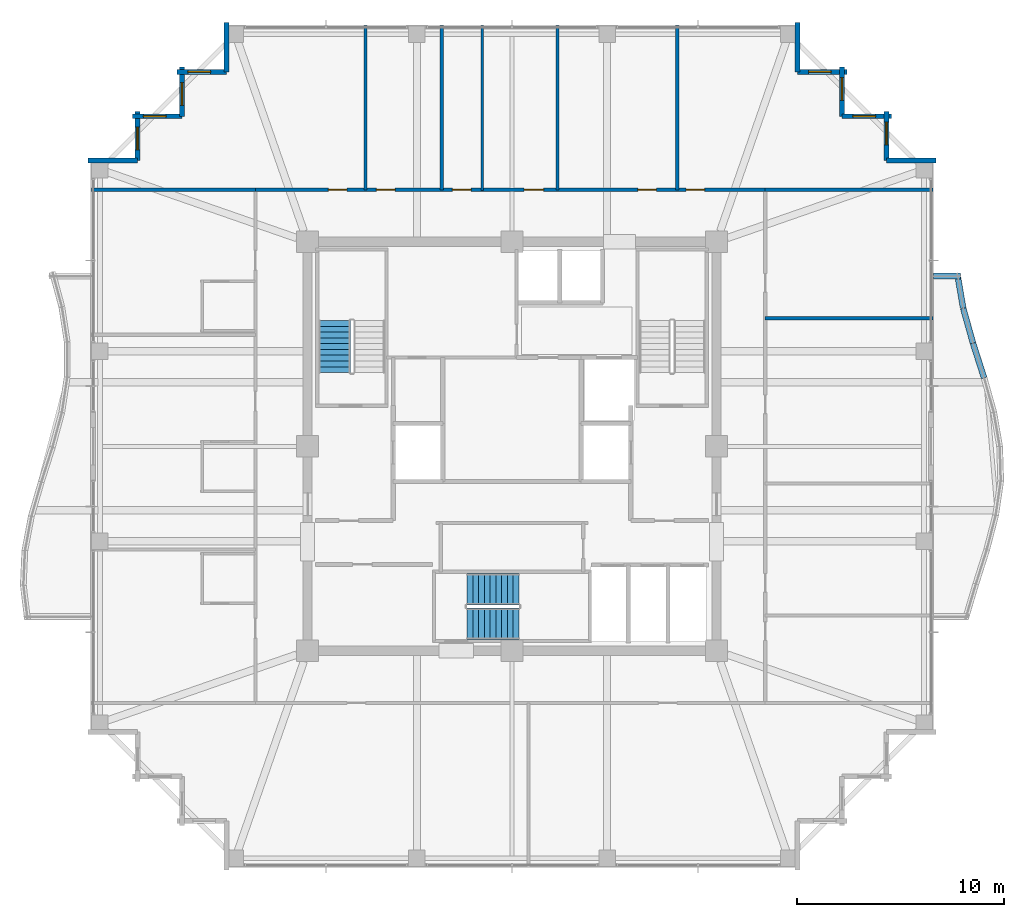
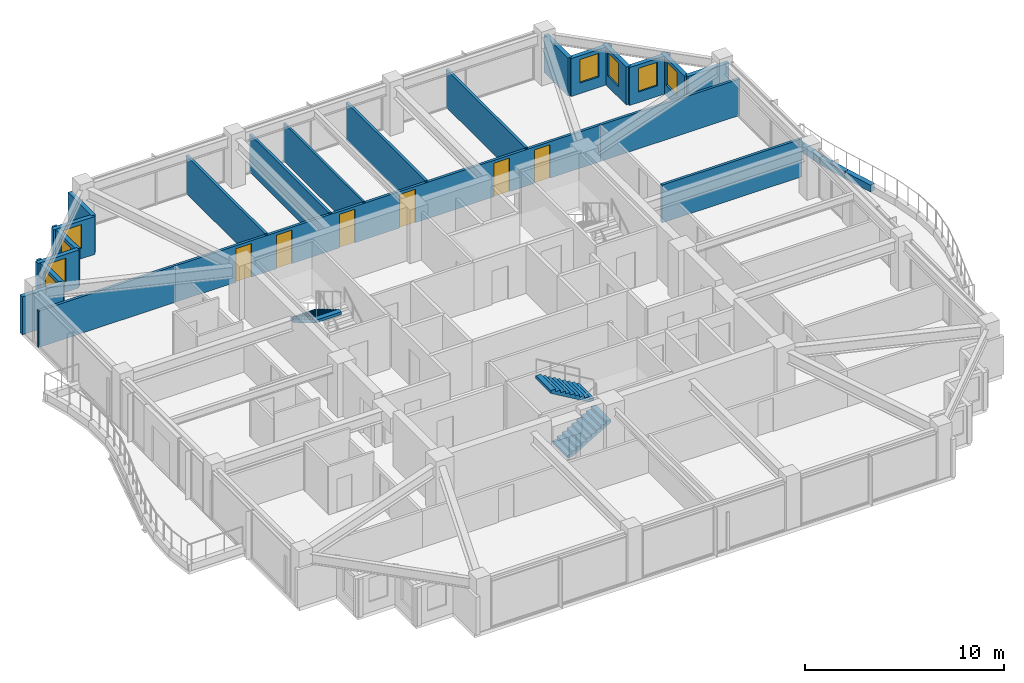
# One storey, part 31 of 34: 25 walls, 8 windows, 6 doors, 3 stair flights, 14 openings, 2 elements without a shape of their own.
"""IFC4 building model written with IfcOpenShell, lengths in metres."""

from ifc_helpers import new_model, si_unit, direction, frame, frame_2d, origin, place, context, subcontext, project, spatial, polyline, rectangle, outline, extrude, material, layer, layer_set, type_object, element, fill, aggregate, save


model = new_model("IFC4")

# Units and contexts
model_context = context("Model", 3, precision=1e-05, world=origin(), true_north=direction((0.0, 1.0)))
body_context = subcontext(model_context, "Body", "Model", "MODEL_VIEW")
ifc_project = project(units=[si_unit("LENGTHUNIT", "METRE"), si_unit("AREAUNIT", "SQUARE_METRE"), si_unit("VOLUMEUNIT", "CUBIC_METRE"), si_unit("PLANEANGLEUNIT", "RADIAN"), si_unit("MASSUNIT", "GRAM", prefix="KILO")], contexts=[model_context])

# Site, building, storey
site_placement = place(None, origin())
site = spatial("IfcSite", under=ifc_project, at=site_placement, CompositionType="ELEMENT")
building_placement = place(site_placement, origin())
building = spatial("IfcBuilding", under=site, at=building_placement, Name="Kolvaren Belvedere", CompositionType="ELEMENT")
storey_placement = place(building_placement, frame((0.0, 0.0, 229.5)))
storey = spatial("IfcBuildingStorey", under=building, at=storey_placement, Name="L67", CompositionType="ELEMENT", Elevation=229.5)

# Wall, openings, doors
ifc_material_1 = material(Name="Gypsum fire-rated partition assembly", Category="gypsum")
ifc_layer_1 = layer(ifc_material_1, 0.14990234375)
ifc_layer_set_1 = layer_set([ifc_layer_1], Name="Gypsum fire-rated partition assembly")
wall_type_1 = type_object("IfcWallType", Name="WL-CORR-150", PredefinedType="PARTITIONING", material=ifc_layer_set_1)
wall_1_placement = place(storey_placement, frame((-12.419921875, 12.419921875, 0.0), z_axis=(0.0, 0.0, 1.0), x_axis=(1.0, 0.0, 0.0)))
wall_1 = element("IfcWall", 1, at=wall_1_placement, inside=storey, type_object=wall_type_1, Name="L67 North Corridor Wall", PredefinedType="PARTITIONING", context=body_context, shape_type="SweptSolid", body=[
    extrude(rectangle(XDim=24.679931640625, YDim=0.14990234375, at=frame_2d((12.33984375, 0.0))), origin(), (0.0, 0.0, 1.0), 2.239013671875),
])
opening_1_placement = place(wall_1_placement, frame((3.5244140625, 0.0, 0.0)))
opening_1 = element("IfcOpeningElement", 2, at=opening_1_placement, cuts=wall_1, Name="Opening D-INT90", PredefinedType="OPENING", context=body_context, shape_type="SweptSolid", body=[
    extrude(rectangle(XDim=0.89990234375, YDim=2.06005859375, at=frame_2d((0.449951171875, 1.030029296875))), frame((0.0, 0.0849609375, 0.0), z_axis=(0.0, -1.0, 0.0), x_axis=(1.0, 0.0, 0.0)), (0.0, 0.0, 1.0), 0.169921875),
])
opening_2_placement = place(wall_1_placement, frame((5.859375, 0.0, 0.0)))
opening_2 = element("IfcOpeningElement", 3, at=opening_2_placement, cuts=wall_1, Name="Opening D-INT90", PredefinedType="OPENING", context=body_context, shape_type="SweptSolid", body=[
    extrude(rectangle(XDim=0.89990234375, YDim=2.06005859375, at=frame_2d((0.449951171875, 1.030029296875))), frame((0.0, 0.0849609375, 0.0), z_axis=(0.0, -1.0, 0.0), x_axis=(1.0, 0.0, 0.0)), (0.0, 0.0, 1.0), 0.169921875),
])
opening_3_placement = place(wall_1_placement, frame((9.53759765625, 0.0, 0.0)))
opening_3 = element("IfcOpeningElement", 4, at=opening_3_placement, cuts=wall_1, Name="Opening D-INT90", PredefinedType="OPENING", context=body_context, shape_type="SweptSolid", body=[
    extrude(rectangle(XDim=0.89990234375, YDim=2.06005859375, at=frame_2d((0.449951171875, 1.030029296875))), frame((0.0, 0.0849609375, 0.0), z_axis=(0.0, -1.0, 0.0), x_axis=(1.0, 0.0, 0.0)), (0.0, 0.0, 1.0), 0.169921875),
])
opening_4_placement = place(wall_1_placement, frame((13.001953125, 0.0, 0.0)))
opening_4 = element("IfcOpeningElement", 5, at=opening_4_placement, cuts=wall_1, Name="Opening D-INT95", PredefinedType="OPENING", context=body_context, shape_type="SweptSolid", body=[
    extrude(rectangle(XDim=0.949951171875, YDim=2.06005859375, at=frame_2d((0.47509765625, 1.030029296875))), frame((0.0, 0.0849609375, 0.0), z_axis=(0.0, -1.0, 0.0), x_axis=(1.0, 0.0, 0.0)), (0.0, 0.0, 1.0), 0.169921875),
])
opening_5_placement = place(wall_1_placement, frame((18.514892578125, 0.0, 0.0)))
opening_5 = element("IfcOpeningElement", 6, at=opening_5_placement, cuts=wall_1, Name="Opening D-INT90", PredefinedType="OPENING", context=body_context, shape_type="SweptSolid", body=[
    extrude(rectangle(XDim=0.89990234375, YDim=2.06005859375, at=frame_2d((0.449951171875, 1.030029296875))), frame((0.0, 0.0849609375, 0.0), z_axis=(0.0, -1.0, 0.0), x_axis=(1.0, 0.0, 0.0)), (0.0, 0.0, 1.0), 0.169921875),
])
opening_6_placement = place(wall_1_placement, frame((20.849853515625, 0.0, 0.0)))
opening_6 = element("IfcOpeningElement", 7, at=opening_6_placement, cuts=wall_1, Name="Opening D-INT90", PredefinedType="OPENING", context=body_context, shape_type="SweptSolid", body=[
    extrude(rectangle(XDim=0.89990234375, YDim=2.06005859375, at=frame_2d((0.449951171875, 1.030029296875))), frame((0.0, 0.0849609375, 0.0), z_axis=(0.0, -1.0, 0.0), x_axis=(1.0, 0.0, 0.0)), (0.0, 0.0, 1.0), 0.169921875),
])
ifc_material_2 = material(Name="Stained Pacific white oak", Category="timber")
door_type_1 = type_object("IfcDoorType", Name="DR-INT-900", OperationType="NOTDEFINED", PredefinedType="DOOR", material=ifc_material_2)
door_1_placement = place(opening_1_placement, origin())
door_1 = element("IfcDoor", 8, at=door_1_placement, inside=storey, type_object=door_type_1, Name="L67 Lounge 6710 Door", OperationType="SINGLE_SWING_RIGHT", OverallHeight=2.06005859375, OverallWidth=0.89990234375, PredefinedType="DOOR", context=body_context, shape_type="SweptSolid", body=[
    extrude(rectangle(XDim=0.89990234375, YDim=2.06005859375, at=frame_2d((0.449951171875, 1.030029296875))), frame((0.0, 0.02490234375, 0.0), z_axis=(0.0, -1.0, 0.0), x_axis=(1.0, 0.0, 0.0)), (0.0, 0.0, 1.0), 0.050048828125),
])
fill(opening_1, door_1)
door_2_placement = place(opening_2_placement, origin())
door_2 = element("IfcDoor", 9, at=door_2_placement, inside=storey, type_object=door_type_1, Name="L67 Lounge 6711 Door", OperationType="SINGLE_SWING_LEFT", OverallHeight=2.06005859375, OverallWidth=0.89990234375, PredefinedType="DOOR", context=body_context, shape_type="SweptSolid", body=[
    extrude(rectangle(XDim=0.89990234375, YDim=2.06005859375, at=frame_2d((0.449951171875, 1.030029296875))), frame((0.0, 0.02490234375, 0.0), z_axis=(0.0, -1.0, 0.0), x_axis=(1.0, 0.0, 0.0)), (0.0, 0.0, 1.0), 0.050048828125),
])
fill(opening_2, door_2)
door_3_placement = place(opening_3_placement, origin())
door_3 = element("IfcDoor", 10, at=door_3_placement, inside=storey, type_object=door_type_1, Name="L67 Housekeeping Door", OperationType="SINGLE_SWING_RIGHT", OverallHeight=2.06005859375, OverallWidth=0.89990234375, PredefinedType="DOOR", context=body_context, shape_type="SweptSolid", body=[
    extrude(rectangle(XDim=0.89990234375, YDim=2.06005859375, at=frame_2d((0.449951171875, 1.030029296875))), frame((0.0, 0.02490234375, 0.0), z_axis=(0.0, -1.0, 0.0), x_axis=(1.0, 0.0, 0.0)), (0.0, 0.0, 1.0), 0.050048828125),
])
fill(opening_3, door_3)
door_4_placement = place(opening_5_placement, origin())
door_4 = element("IfcDoor", 11, at=door_4_placement, inside=storey, type_object=door_type_1, Name="L67 Lounge 6712 Door", OperationType="SINGLE_SWING_RIGHT", OverallHeight=2.06005859375, OverallWidth=0.89990234375, PredefinedType="DOOR", context=body_context, shape_type="SweptSolid", body=[
    extrude(rectangle(XDim=0.89990234375, YDim=2.06005859375, at=frame_2d((0.449951171875, 1.030029296875))), frame((0.0, 0.02490234375, 0.0), z_axis=(0.0, -1.0, 0.0), x_axis=(1.0, 0.0, 0.0)), (0.0, 0.0, 1.0), 0.050048828125),
])
fill(opening_5, door_4)
door_5_placement = place(opening_6_placement, origin())
door_5 = element("IfcDoor", 12, at=door_5_placement, inside=storey, type_object=door_type_1, Name="L67 Lounge 6713 Door", OperationType="SINGLE_SWING_LEFT", OverallHeight=2.06005859375, OverallWidth=0.89990234375, PredefinedType="DOOR", context=body_context, shape_type="SweptSolid", body=[
    extrude(rectangle(XDim=0.89990234375, YDim=2.06005859375, at=frame_2d((0.449951171875, 1.030029296875))), frame((0.0, 0.02490234375, 0.0), z_axis=(0.0, -1.0, 0.0), x_axis=(1.0, 0.0, 0.0)), (0.0, 0.0, 1.0), 0.050048828125),
])
fill(opening_6, door_5)
ifc_material_3 = material(Name="Stained Pacific white oak", Category="timber")
door_type_2 = type_object("IfcDoorType", Name="DR-INT-950", OperationType="NOTDEFINED", PredefinedType="DOOR", material=ifc_material_3)
door_6_placement = place(opening_4_placement, origin())
door_6 = element("IfcDoor", 13, at=door_6_placement, inside=storey, type_object=door_type_2, Name="L67 Accessible Washroom Door", OperationType="SINGLE_SWING_LEFT", OverallHeight=2.06005859375, OverallWidth=0.949951171875, PredefinedType="DOOR", context=body_context, shape_type="SweptSolid", body=[
    extrude(rectangle(XDim=0.949951171875, YDim=2.06005859375, at=frame_2d((0.47509765625, 1.030029296875))), frame((0.0, 0.02490234375, 0.0), z_axis=(0.0, -1.0, 0.0), x_axis=(1.0, 0.0, 0.0)), (0.0, 0.0, 1.0), 0.050048828125),
])
fill(opening_4, door_6)

# Wall
ifc_material_4 = material(Name="Insulated pale-metal facade wall assembly", Category="aluminium")
ifc_layer_2 = layer(ifc_material_4, 0.239990234375)
ifc_layer_set_2 = layer_set([ifc_layer_2], Name="Insulated pale-metal facade wall assembly")
wall_type_2 = type_object("IfcWallType", Name="WL-EXT-240", PredefinedType="STANDARD", material=ifc_layer_set_2)
wall_2_placement = place(storey_placement, frame((18.1298828125, 13.830078125, 0.0), z_axis=(0.0, 0.0, 1.0), x_axis=(1.0, 0.0, 0.0)))
element("IfcWall", 14, at=wall_2_placement, inside=storey, type_object=wall_type_2, Name="L67 Serrated Corner Facade Wall 9", PredefinedType="STANDARD", context=body_context, shape_type="SweptSolid", body=[
    extrude(rectangle(XDim=2.39013671875, YDim=0.239990234375, at=frame_2d((1.195068359375, 0.0))), origin(), (0.0, 0.0, 1.0), 2.3330078125),
])

# Wall, opening, window
wall_3_placement = place(storey_placement, frame((18.1298828125, 16.219970703125, 0.0), z_axis=(0.0, 0.0, 1.0), x_axis=(0.0, -1.0, 0.0)))
wall_3 = element("IfcWall", 15, at=wall_3_placement, inside=storey, type_object=wall_type_2, Name="L67 Serrated Corner Facade Wall 10", PredefinedType="STANDARD", context=body_context, shape_type="SweptSolid", body=[
    extrude(rectangle(XDim=2.389892578125, YDim=0.239990234375, at=frame_2d((1.19482421875, 0.0))), origin(), (0.0, 0.0, 1.0), 2.3330078125),
])
opening_7_placement = place(wall_3_placement, frame((0.52490234375, 0.0, 0.64990234375)))
opening_7 = element("IfcOpeningElement", 16, at=opening_7_placement, cuts=wall_3, Name="Opening W-1100", PredefinedType="OPENING", context=body_context, shape_type="SweptSolid", body=[
    extrude(rectangle(XDim=1.10009765625, YDim=1.449951171875, at=frame_2d((0.550048828125, 0.72509765625))), frame((0.0, 0.1298828125, 0.0), z_axis=(0.0, -1.0, 0.0), x_axis=(1.0, 0.0, 0.0)), (0.0, 0.0, 1.0), 0.260009765625),
])
ifc_material_5 = material(Name="Low-iron triple insulated glass", Category="glass")
window_type = type_object("IfcWindowType", Name="WN-CORN-1100", PartitioningType="SINGLE_PANEL", PredefinedType="WINDOW", material=ifc_material_5)
window_1_placement = place(opening_7_placement, origin())
window_1 = element("IfcWindow", 17, at=window_1_placement, inside=storey, type_object=window_type, Name="L67 Serrated Corner Vision Window 10", OverallHeight=1.449951171875, OverallWidth=1.10009765625, PartitioningType="SINGLE_PANEL", PredefinedType="WINDOW", context=body_context, shape_type="SweptSolid", body=[
    extrude(rectangle(XDim=1.10009765625, YDim=1.449951171875, at=frame_2d((0.550048828125, 0.72509765625))), frame((0.0, 0.030029296875, 0.0), z_axis=(0.0, -1.0, 0.0), x_axis=(1.0, 0.0, 0.0)), (0.0, 0.0, 1.0), 0.06005859375),
])
fill(opening_7, window_1)

wall_4_placement = place(storey_placement, frame((15.97998046875, 15.97998046875, 0.0), z_axis=(0.0, 0.0, 1.0), x_axis=(1.0, 0.0, 0.0)))
wall_4 = element("IfcWall", 18, at=wall_4_placement, inside=storey, type_object=wall_type_2, Name="L67 Serrated Corner Facade Wall 11", PredefinedType="STANDARD", context=body_context, shape_type="SweptSolid", body=[
    extrude(rectangle(XDim=2.39013671875, YDim=0.239990234375, at=frame_2d((1.195068359375, 0.0))), origin(), (0.0, 0.0, 1.0), 2.3330078125),
])
opening_8_placement = place(wall_4_placement, frame((0.52490234375, 0.0, 0.64990234375)))
opening_8 = element("IfcOpeningElement", 19, at=opening_8_placement, cuts=wall_4, Name="Opening W-1100", PredefinedType="OPENING", context=body_context, shape_type="SweptSolid", body=[
    extrude(rectangle(XDim=1.10009765625, YDim=1.449951171875, at=frame_2d((0.550048828125, 0.72509765625))), frame((0.0, 0.1298828125, 0.0), z_axis=(0.0, -1.0, 0.0), x_axis=(1.0, 0.0, 0.0)), (0.0, 0.0, 1.0), 0.260009765625),
])
window_2_placement = place(opening_8_placement, origin())
window_2 = element("IfcWindow", 20, at=window_2_placement, inside=storey, type_object=window_type, Name="L67 Serrated Corner Vision Window 11", OverallHeight=1.449951171875, OverallWidth=1.10009765625, PartitioningType="SINGLE_PANEL", PredefinedType="WINDOW", context=body_context, shape_type="SweptSolid", body=[
    extrude(rectangle(XDim=1.10009765625, YDim=1.449951171875, at=frame_2d((0.550048828125, 0.72509765625))), frame((0.0, 0.030029296875, 0.0), z_axis=(0.0, -1.0, 0.0), x_axis=(1.0, 0.0, 0.0)), (0.0, 0.0, 1.0), 0.06005859375),
])
fill(opening_8, window_2)

wall_5_placement = place(storey_placement, frame((15.97998046875, 18.3701171875, 0.0), z_axis=(0.0, 0.0, 1.0), x_axis=(0.0, -1.0, 0.0)))
wall_5 = element("IfcWall", 21, at=wall_5_placement, inside=storey, type_object=wall_type_2, Name="L67 Serrated Corner Facade Wall 12", PredefinedType="STANDARD", context=body_context, shape_type="SweptSolid", body=[
    extrude(rectangle(XDim=2.39013671875, YDim=0.239990234375, at=frame_2d((1.195068359375, 0.0))), origin(), (0.0, 0.0, 1.0), 2.3330078125),
])
opening_9_placement = place(wall_5_placement, frame((0.52490234375, 0.0, 0.64990234375)))
opening_9 = element("IfcOpeningElement", 22, at=opening_9_placement, cuts=wall_5, Name="Opening W-1100", PredefinedType="OPENING", context=body_context, shape_type="SweptSolid", body=[
    extrude(rectangle(XDim=1.10009765625, YDim=1.449951171875, at=frame_2d((0.550048828125, 0.72509765625))), frame((0.0, 0.1298828125, 0.0), z_axis=(0.0, -1.0, 0.0), x_axis=(1.0, 0.0, 0.0)), (0.0, 0.0, 1.0), 0.260009765625),
])
window_3_placement = place(opening_9_placement, origin())
window_3 = element("IfcWindow", 23, at=window_3_placement, inside=storey, type_object=window_type, Name="L67 Serrated Corner Vision Window 12", OverallHeight=1.449951171875, OverallWidth=1.10009765625, PartitioningType="SINGLE_PANEL", PredefinedType="WINDOW", context=body_context, shape_type="SweptSolid", body=[
    extrude(rectangle(XDim=1.10009765625, YDim=1.449951171875, at=frame_2d((0.550048828125, 0.72509765625))), frame((0.0, 0.030029296875, 0.0), z_axis=(0.0, -1.0, 0.0), x_axis=(1.0, 0.0, 0.0)), (0.0, 0.0, 1.0), 0.06005859375),
])
fill(opening_9, window_3)

wall_6_placement = place(storey_placement, frame((13.830078125, 18.1298828125, 0.0), z_axis=(0.0, 0.0, 1.0), x_axis=(1.0, 0.0, 0.0)))
wall_6 = element("IfcWall", 24, at=wall_6_placement, inside=storey, type_object=wall_type_2, Name="L67 Serrated Corner Facade Wall 13", PredefinedType="STANDARD", context=body_context, shape_type="SweptSolid", body=[
    extrude(rectangle(XDim=2.389892578125, YDim=0.239990234375, at=frame_2d((1.19482421875, 0.0))), origin(), (0.0, 0.0, 1.0), 2.3330078125),
])
opening_10_placement = place(wall_6_placement, frame((0.52490234375, 0.0, 0.64990234375)))
opening_10 = element("IfcOpeningElement", 25, at=opening_10_placement, cuts=wall_6, Name="Opening W-1100", PredefinedType="OPENING", context=body_context, shape_type="SweptSolid", body=[
    extrude(rectangle(XDim=1.10009765625, YDim=1.449951171875, at=frame_2d((0.550048828125, 0.72509765625))), frame((0.0, 0.1298828125, 0.0), z_axis=(0.0, -1.0, 0.0), x_axis=(1.0, 0.0, 0.0)), (0.0, 0.0, 1.0), 0.260009765625),
])
window_4_placement = place(opening_10_placement, origin())
window_4 = element("IfcWindow", 26, at=window_4_placement, inside=storey, type_object=window_type, Name="L67 Serrated Corner Vision Window 13", OverallHeight=1.449951171875, OverallWidth=1.10009765625, PartitioningType="SINGLE_PANEL", PredefinedType="WINDOW", context=body_context, shape_type="SweptSolid", body=[
    extrude(rectangle(XDim=1.10009765625, YDim=1.449951171875, at=frame_2d((0.550048828125, 0.72509765625))), frame((0.0, 0.030029296875, 0.0), z_axis=(0.0, -1.0, 0.0), x_axis=(1.0, 0.0, 0.0)), (0.0, 0.0, 1.0), 0.06005859375),
])
fill(opening_10, window_4)

# Walls
for number, where, z_axis, x_axis, name in (
    (27, (13.830078125, 20.52001953125, 0.0), (0.0, 0.0, 1.0), (0.0, -1.0, 0.0), "L67 Serrated Corner Facade Wall 14"),
    (28, (-13.830078125, 18.1298828125, 0.0), (0.0, 0.0, 1.0), (0.0, 1.0, 0.0), "L67 Serrated Corner Facade Wall 16"),
):
    element("IfcWall", number, at=place(storey_placement, frame(where, z_axis=z_axis, x_axis=x_axis)), inside=storey, type_object=wall_type_2, Name=name, PredefinedType="STANDARD", context=body_context, shape_type="SweptSolid", body=[
        extrude(rectangle(XDim=2.39013671875, YDim=0.239990234375, at=frame_2d((1.195068359375, 0.0))), origin(), (0.0, 0.0, 1.0), 2.3330078125),
    ])

# Wall, opening, window
wall_7_placement = place(storey_placement, frame((-16.219970703125, 18.1298828125, 0.0), z_axis=(0.0, 0.0, 1.0), x_axis=(1.0, 0.0, 0.0)))
wall_7 = element("IfcWall", 29, at=wall_7_placement, inside=storey, type_object=wall_type_2, Name="L67 Serrated Corner Facade Wall 17", PredefinedType="STANDARD", context=body_context, shape_type="SweptSolid", body=[
    extrude(rectangle(XDim=2.389892578125, YDim=0.239990234375, at=frame_2d((1.19482421875, 0.0))), origin(), (0.0, 0.0, 1.0), 2.3330078125),
])
opening_11_placement = place(wall_7_placement, frame((0.52490234375, 0.0, 0.64990234375)))
opening_11 = element("IfcOpeningElement", 30, at=opening_11_placement, cuts=wall_7, Name="Opening W-1100", PredefinedType="OPENING", context=body_context, shape_type="SweptSolid", body=[
    extrude(rectangle(XDim=1.10009765625, YDim=1.449951171875, at=frame_2d((0.550048828125, 0.72509765625))), frame((0.0, 0.1298828125, 0.0), z_axis=(0.0, -1.0, 0.0), x_axis=(1.0, 0.0, 0.0)), (0.0, 0.0, 1.0), 0.260009765625),
])
window_5_placement = place(opening_11_placement, origin())
window_5 = element("IfcWindow", 31, at=window_5_placement, inside=storey, type_object=window_type, Name="L67 Serrated Corner Vision Window 17", OverallHeight=1.449951171875, OverallWidth=1.10009765625, PartitioningType="SINGLE_PANEL", PredefinedType="WINDOW", context=body_context, shape_type="SweptSolid", body=[
    extrude(rectangle(XDim=1.10009765625, YDim=1.449951171875, at=frame_2d((0.550048828125, 0.72509765625))), frame((0.0, 0.030029296875, 0.0), z_axis=(0.0, -1.0, 0.0), x_axis=(1.0, 0.0, 0.0)), (0.0, 0.0, 1.0), 0.06005859375),
])
fill(opening_11, window_5)

wall_8_placement = place(storey_placement, frame((-15.97998046875, 15.97998046875, 0.0), z_axis=(0.0, 0.0, 1.0), x_axis=(0.0, 1.0, 0.0)))
wall_8 = element("IfcWall", 32, at=wall_8_placement, inside=storey, type_object=wall_type_2, Name="L67 Serrated Corner Facade Wall 18", PredefinedType="STANDARD", context=body_context, shape_type="SweptSolid", body=[
    extrude(rectangle(XDim=2.39013671875, YDim=0.239990234375, at=frame_2d((1.195068359375, 0.0))), origin(), (0.0, 0.0, 1.0), 2.3330078125),
])
opening_12_placement = place(wall_8_placement, frame((0.52490234375, 0.0, 0.64990234375)))
opening_12 = element("IfcOpeningElement", 33, at=opening_12_placement, cuts=wall_8, Name="Opening W-1100", PredefinedType="OPENING", context=body_context, shape_type="SweptSolid", body=[
    extrude(rectangle(XDim=1.10009765625, YDim=1.449951171875, at=frame_2d((0.550048828125, 0.72509765625))), frame((0.0, 0.1298828125, 0.0), z_axis=(0.0, -1.0, 0.0), x_axis=(1.0, 0.0, 0.0)), (0.0, 0.0, 1.0), 0.260009765625),
])
window_6_placement = place(opening_12_placement, origin())
window_6 = element("IfcWindow", 34, at=window_6_placement, inside=storey, type_object=window_type, Name="L67 Serrated Corner Vision Window 18", OverallHeight=1.449951171875, OverallWidth=1.10009765625, PartitioningType="SINGLE_PANEL", PredefinedType="WINDOW", context=body_context, shape_type="SweptSolid", body=[
    extrude(rectangle(XDim=1.10009765625, YDim=1.449951171875, at=frame_2d((0.550048828125, 0.72509765625))), frame((0.0, 0.030029296875, 0.0), z_axis=(0.0, -1.0, 0.0), x_axis=(1.0, 0.0, 0.0)), (0.0, 0.0, 1.0), 0.06005859375),
])
fill(opening_12, window_6)

wall_9_placement = place(storey_placement, frame((-18.3701171875, 15.97998046875, 0.0), z_axis=(0.0, 0.0, 1.0), x_axis=(1.0, 0.0, 0.0)))
wall_9 = element("IfcWall", 35, at=wall_9_placement, inside=storey, type_object=wall_type_2, Name="L67 Serrated Corner Facade Wall 19", PredefinedType="STANDARD", context=body_context, shape_type="SweptSolid", body=[
    extrude(rectangle(XDim=2.39013671875, YDim=0.239990234375, at=frame_2d((1.195068359375, 0.0))), origin(), (0.0, 0.0, 1.0), 2.3330078125),
])
opening_13_placement = place(wall_9_placement, frame((0.52490234375, 0.0, 0.64990234375)))
opening_13 = element("IfcOpeningElement", 36, at=opening_13_placement, cuts=wall_9, Name="Opening W-1100", PredefinedType="OPENING", context=body_context, shape_type="SweptSolid", body=[
    extrude(rectangle(XDim=1.10009765625, YDim=1.449951171875, at=frame_2d((0.550048828125, 0.72509765625))), frame((0.0, 0.1298828125, 0.0), z_axis=(0.0, -1.0, 0.0), x_axis=(1.0, 0.0, 0.0)), (0.0, 0.0, 1.0), 0.260009765625),
])
window_7_placement = place(opening_13_placement, origin())
window_7 = element("IfcWindow", 37, at=window_7_placement, inside=storey, type_object=window_type, Name="L67 Serrated Corner Vision Window 19", OverallHeight=1.449951171875, OverallWidth=1.10009765625, PartitioningType="SINGLE_PANEL", PredefinedType="WINDOW", context=body_context, shape_type="SweptSolid", body=[
    extrude(rectangle(XDim=1.10009765625, YDim=1.449951171875, at=frame_2d((0.550048828125, 0.72509765625))), frame((0.0, 0.030029296875, 0.0), z_axis=(0.0, -1.0, 0.0), x_axis=(1.0, 0.0, 0.0)), (0.0, 0.0, 1.0), 0.06005859375),
])
fill(opening_13, window_7)

wall_10_placement = place(storey_placement, frame((-18.1298828125, 13.830078125, 0.0), z_axis=(0.0, 0.0, 1.0), x_axis=(0.0, 1.0, 0.0)))
wall_10 = element("IfcWall", 38, at=wall_10_placement, inside=storey, type_object=wall_type_2, Name="L67 Serrated Corner Facade Wall 20", PredefinedType="STANDARD", context=body_context, shape_type="SweptSolid", body=[
    extrude(rectangle(XDim=2.389892578125, YDim=0.239990234375, at=frame_2d((1.19482421875, 0.0))), origin(), (0.0, 0.0, 1.0), 2.3330078125),
])
opening_14_placement = place(wall_10_placement, frame((0.52490234375, 0.0, 0.64990234375)))
opening_14 = element("IfcOpeningElement", 39, at=opening_14_placement, cuts=wall_10, Name="Opening W-1100", PredefinedType="OPENING", context=body_context, shape_type="SweptSolid", body=[
    extrude(rectangle(XDim=1.10009765625, YDim=1.449951171875, at=frame_2d((0.550048828125, 0.72509765625))), frame((0.0, 0.1298828125, 0.0), z_axis=(0.0, -1.0, 0.0), x_axis=(1.0, 0.0, 0.0)), (0.0, 0.0, 1.0), 0.260009765625),
])
window_8_placement = place(opening_14_placement, origin())
window_8 = element("IfcWindow", 40, at=window_8_placement, inside=storey, type_object=window_type, Name="L67 Serrated Corner Vision Window 20", OverallHeight=1.449951171875, OverallWidth=1.10009765625, PartitioningType="SINGLE_PANEL", PredefinedType="WINDOW", context=body_context, shape_type="SweptSolid", body=[
    extrude(rectangle(XDim=1.10009765625, YDim=1.449951171875, at=frame_2d((0.550048828125, 0.72509765625))), frame((0.0, 0.030029296875, 0.0), z_axis=(0.0, -1.0, 0.0), x_axis=(1.0, 0.0, 0.0)), (0.0, 0.0, 1.0), 0.06005859375),
])
fill(opening_14, window_8)

# Walls
wall_11_placement = place(storey_placement, frame((-20.52001953125, 13.830078125, 0.0), z_axis=(0.0, 0.0, 1.0), x_axis=(1.0, 0.0, 0.0)))
element("IfcWall", 41, at=wall_11_placement, inside=storey, type_object=wall_type_2, Name="L67 Serrated Corner Facade Wall 21", PredefinedType="STANDARD", context=body_context, shape_type="SweptSolid", body=[
    extrude(rectangle(XDim=2.39013671875, YDim=0.239990234375, at=frame_2d((1.195068359375, 0.0))), origin(), (0.0, 0.0, 1.0), 2.3330078125),
])
ifc_material_6 = material(Name="Gypsum acoustic partition assembly", Category="gypsum")
ifc_layer_3 = layer(ifc_material_6, 0.14990234375)
ifc_layer_set_3 = layer_set([ifc_layer_3], Name="Gypsum acoustic partition assembly")
wall_type_3 = type_object("IfcWallType", Name="WL-PART-150", PredefinedType="PARTITIONING", material=ifc_layer_set_3)
wall_12_placement = place(storey_placement, frame((-20.3798828125, 12.419921875, 0.0), z_axis=(0.0, 0.0, 1.0), x_axis=(1.0, 0.0, 0.0)))
element("IfcWall", 42, at=wall_12_placement, inside=storey, type_object=wall_type_3, Name="L67 Wing Divider PW-L67-QNW", PredefinedType="PARTITIONING", context=body_context, shape_type="SweptSolid", body=[
    extrude(rectangle(XDim=7.9599609375, YDim=0.14990234375, at=frame_2d((3.97998046875, 0.0))), origin(), (0.0, 0.0, 1.0), 2.239013671875),
])
wall_13_placement = place(storey_placement, frame((12.260009765625, 12.419921875, 0.0), z_axis=(0.0, 0.0, 1.0), x_axis=(1.0, 0.0, 0.0)))
element("IfcWall", 43, at=wall_13_placement, inside=storey, type_object=wall_type_3, Name="L67 Wing Divider PW-L67-QNE", PredefinedType="PARTITIONING", context=body_context, shape_type="SweptSolid", body=[
    extrude(rectangle(XDim=8.119873046875, YDim=0.14990234375, at=frame_2d((4.06005859375, 0.0))), origin(), (0.0, 0.0, 1.0), 2.239013671875),
])
wall_14_placement = place(storey_placement, frame((12.260009765625, 6.199951171875, 0.0), z_axis=(0.0, 0.0, 1.0), x_axis=(1.0, 0.0, 0.0)))
element("IfcWall", 44, at=wall_14_placement, inside=storey, type_object=wall_type_3, Name="L67 East Suite Demising Wall 3", PredefinedType="PARTITIONING", context=body_context, shape_type="SweptSolid", body=[
    extrude(rectangle(XDim=8.119873046875, YDim=0.14990234375, at=frame_2d((4.06005859375, 0.0))), origin(), (0.0, 0.0, 1.0), 2.322998046875),
])
for number, where, z_axis, x_axis, name in (
    (45, (-7.10009765625, 12.419921875, 0.0), (0.0, 0.0, 1.0), (0.0, 1.0, 0.0), "L67 North Suite Demising Wall 1"),
    (46, (-3.39990234375, 12.419921875, 0.0), (0.0, 0.0, 1.0), (0.0, 1.0, 0.0), "L67 North Suite Demising Wall 2"),
    (47, (2.199951171875, 12.419921875, 0.0), (0.0, 0.0, 1.0), (0.0, 1.0, 0.0), "L67 North Suite Demising Wall 3"),
    (48, (8.0, 12.419921875, 0.0), (0.0, 0.0, 1.0), (0.0, 1.0, 0.0), "L67 North Suite Demising Wall 4"),
):
    element("IfcWall", number, at=place(storey_placement, frame(where, z_axis=z_axis, x_axis=x_axis)), inside=storey, type_object=wall_type_3, Name=name, PredefinedType="PARTITIONING", context=body_context, shape_type="SweptSolid", body=[
        extrude(rectangle(XDim=7.9599609375, YDim=0.14990234375, at=frame_2d((3.97998046875, 0.0))), origin(), (0.0, 0.0, 1.0), 2.322998046875),
    ])
ifc_material_7 = material(Name="Precast concrete C40/50", Category="concrete")
ifc_layer_4 = layer(ifc_material_7, 0.300048828125)
ifc_layer_set_4 = layer_set([ifc_layer_4], Name="Precast concrete C40/50")
wall_type_4 = type_object("IfcWallType", Name="WL-PLANTER-300", PredefinedType="PARAPET", material=ifc_layer_set_4)
wall_15_placement = place(storey_placement, frame((22.856201171875, 3.311279296875, -0.0400390625), z_axis=(0.0, 0.0, 1.0), x_axis=(-0.304534629099, 0.952501264923, 0.0)))
element("IfcWall", 49, at=wall_15_placement, inside=storey, type_object=wall_type_4, Name="L67 Precast Structural Planter Wall BAL-E-8", PredefinedType="PARAPET", context=body_context, shape_type="SweptSolid", body=[
    extrude(rectangle(XDim=1.763671875, YDim=0.280029296875, at=frame_2d((0.8818359375, 0.0))), origin(), (0.0, 0.0, 1.0), 0.419921875),
])
wall_16_placement = place(storey_placement, frame((22.3173828125, 4.996826171875, -0.0400390625), z_axis=(0.0, 0.0, 1.0), x_axis=(-0.269801210823, 0.962916043401, 0.0)))
element("IfcWall", 50, at=wall_16_placement, inside=storey, type_object=wall_type_4, Name="L67 Precast Structural Planter Wall BAL-E-9", PredefinedType="PARAPET", context=body_context, shape_type="SweptSolid", body=[
    extrude(rectangle(XDim=1.74462890625, YDim=0.280029296875, at=frame_2d((0.872314453125, 0.0))), origin(), (0.0, 0.0, 1.0), 0.419921875),
])
wall_17_placement = place(storey_placement, frame((21.843017578125, 6.693115234375, -0.0400390625), z_axis=(0.0, 0.0, 1.0), x_axis=(-0.16888032392, 0.985636563949, 0.0)))
element("IfcWall", 51, at=wall_17_placement, inside=storey, type_object=wall_type_4, Name="L67 Precast Structural Planter Wall BAL-E-10", PredefinedType="PARAPET", context=body_context, shape_type="SweptSolid", body=[
    extrude(rectangle(XDim=1.704345703125, YDim=0.280029296875, at=frame_2d((0.85205078125, 0.0))), origin(), (0.0, 0.0, 1.0), 0.419921875),
])
wall_18_placement = place(storey_placement, frame((21.712890625, 8.239990234375, -0.0400390625), z_axis=(0.0, 0.0, 1.0), x_axis=(-1.0, 0.0, 0.0)))
element("IfcWall", 52, at=wall_18_placement, inside=storey, type_object=wall_type_4, Name="L67 Precast Structural Planter Wall BAL-E-11", PredefinedType="PARAPET", context=body_context, shape_type="SweptSolid", body=[
    extrude(rectangle(XDim=1.31298828125, YDim=0.280029296875, at=frame_2d((0.656494140625, 0.0))), origin(), (0.0, 0.0, 1.0), 0.419921875),
])
ifc_material_8 = material(Name="Moisture-resistant gypsum partition", Category="gypsum")
ifc_layer_5 = layer(ifc_material_8, 0.125)
ifc_layer_set_5 = layer_set([ifc_layer_5], Name="Moisture-resistant gypsum partition")
wall_type_5 = type_object("IfcWallType", Name="WL-WET-125", PredefinedType="PARTITIONING", material=ifc_layer_set_5)
wall_19_placement = place(storey_placement, frame((-1.443115234375, 12.39501953125, 0.0), z_axis=(0.0, 0.0, 1.0), x_axis=(0.0, 1.0, 0.0)))
element("IfcWall", 53, at=wall_19_placement, inside=storey, type_object=wall_type_5, Name="L67 Housekeeping Washroom Divider", PredefinedType="PARTITIONING", context=body_context, shape_type="SweptSolid", body=[
    extrude(rectangle(XDim=7.98486328125, YDim=0.125, at=frame_2d((3.992431640625, 0.0))), origin(), (0.0, 0.0, 1.0), 2.322998046875),
])

# Stair, stair flight
ifc_material_9 = material(Name="Concrete C50/60", Category="concrete")
stair_type = type_object("IfcStairType", Name="ST-CORE-1520", PredefinedType="HALF_TURN_STAIR", material=ifc_material_9)
stair_1_placement = place(storey_placement, origin())
stair_1 = element("IfcStair", 54, at=stair_1_placement, inside=storey, type_object=stair_type, Name="L67 Protected Exit Stair ST-1", PredefinedType="HALF_TURN_STAIR")
ifc_material_10 = material(Name="Concrete C50/60", Category="concrete")
stair_flight_type = type_object("IfcStairFlightType", Name="SF-STR-1520", PredefinedType="STRAIGHT", material=ifc_material_10)
stair_flight_1_placement = place(storey_placement, frame((-8.590087890625, 6.090087890625, 1.64990234375), z_axis=(0.0, 0.0, 1.0), x_axis=(0.0, -1.0, 0.0)))
stair_flight_1 = element("IfcStairFlight", 55, at=stair_flight_1_placement, type_object=stair_flight_type, Name="ST-1 flight 2", NumberOfRisers=10, NumberOfTreads=9, PredefinedType="STRAIGHT", RiserHeight=0.165, TreadLength=0.28, context=body_context, shape_type="SweptSolid", body=[
    extrude(outline(polyline([(0.0, 0.0), (0.0, 0.1650390625), (0.280029296875, 0.1650390625), (0.280029296875, 0.330078125), (0.56005859375, 0.330078125), (0.56005859375, 0.4951171875), (0.840087890625, 0.4951171875), (0.840087890625, 0.659912109375), (1.1201171875, 0.659912109375), (1.1201171875, 0.824951171875), (1.39990234375, 0.824951171875), (1.39990234375, 0.989990234375), (1.679931640625, 0.989990234375), (1.679931640625, 1.155029296875), (1.9599609375, 1.155029296875), (1.9599609375, 1.320068359375), (2.239990234375, 1.320068359375), (2.239990234375, 1.485107421875), (2.52001953125, 1.485107421875), (2.52001953125, 1.64990234375), (2.52001953125, 1.31103515625), (0.295166015625, 0.0), (0.0, 0.0)])), frame((0.0, 0.760009765625, 0.0), z_axis=(0.0, -1.0, 0.0), x_axis=(1.0, 0.0, 0.0)), (0.0, 0.0, 1.0), 1.52001953125),
])
aggregate(stair_1, [stair_flight_1])

# Stair, stair flights
stair_2_placement = place(storey_placement, origin())
stair_2 = element("IfcStair", 56, at=stair_2_placement, inside=storey, type_object=stair_type, Name="L67 Protected Exit Stair ST-3", PredefinedType="HALF_TURN_STAIR")
stair_flight_2_placement = place(storey_placement, frame((-2.179931640625, -8.590087890625, 0.0), z_axis=(0.0, 0.0, 1.0), x_axis=(1.0, 0.0, 0.0)))
stair_flight_2 = element("IfcStairFlight", 57, at=stair_flight_2_placement, type_object=stair_flight_type, Name="ST-3 flight 1", NumberOfRisers=10, NumberOfTreads=9, PredefinedType="STRAIGHT", RiserHeight=0.165, TreadLength=0.28, context=body_context, shape_type="SweptSolid", body=[
    extrude(outline(polyline([(0.0, 0.0), (0.0, 0.1650390625), (0.280029296875, 0.1650390625), (0.280029296875, 0.330078125), (0.56005859375, 0.330078125), (0.56005859375, 0.4951171875), (0.840087890625, 0.4951171875), (0.840087890625, 0.659912109375), (1.1201171875, 0.659912109375), (1.1201171875, 0.824951171875), (1.39990234375, 0.824951171875), (1.39990234375, 0.989990234375), (1.679931640625, 0.989990234375), (1.679931640625, 1.155029296875), (1.9599609375, 1.155029296875), (1.9599609375, 1.320068359375), (2.239990234375, 1.320068359375), (2.239990234375, 1.485107421875), (2.52001953125, 1.485107421875), (2.52001953125, 1.64990234375), (2.52001953125, 1.31103515625), (0.295166015625, 0.0), (0.0, 0.0)])), frame((0.0, 0.760009765625, 0.0), z_axis=(0.0, -1.0, 0.0), x_axis=(1.0, 0.0, 0.0)), (0.0, 0.0, 1.0), 1.52001953125),
])
stair_flight_3_placement = place(storey_placement, frame((0.340087890625, -6.919921875, 1.64990234375), z_axis=(0.0, 0.0, 1.0), x_axis=(-1.0, 0.0, 0.0)))
stair_flight_3 = element("IfcStairFlight", 58, at=stair_flight_3_placement, type_object=stair_flight_type, Name="ST-3 flight 2", NumberOfRisers=10, NumberOfTreads=9, PredefinedType="STRAIGHT", RiserHeight=0.165, TreadLength=0.28, context=body_context, shape_type="SweptSolid", body=[
    extrude(outline(polyline([(0.0, 0.0), (0.0, 0.1650390625), (0.280029296875, 0.1650390625), (0.280029296875, 0.330078125), (0.56005859375, 0.330078125), (0.56005859375, 0.4951171875), (0.840087890625, 0.4951171875), (0.840087890625, 0.659912109375), (1.1201171875, 0.659912109375), (1.1201171875, 0.824951171875), (1.39990234375, 0.824951171875), (1.39990234375, 0.989990234375), (1.679931640625, 0.989990234375), (1.679931640625, 1.155029296875), (1.9599609375, 1.155029296875), (1.9599609375, 1.320068359375), (2.239990234375, 1.320068359375), (2.239990234375, 1.485107421875), (2.52001953125, 1.485107421875), (2.52001953125, 1.64990234375), (2.52001953125, 1.31103515625), (0.295166015625, 0.0), (0.0, 0.0)])), frame((0.0, 0.760009765625, 0.0), z_axis=(0.0, -1.0, 0.0), x_axis=(1.0, 0.0, 0.0)), (0.0, 0.0, 1.0), 1.52001953125),
])
aggregate(stair_2, [stair_flight_2, stair_flight_3])

save(model, "model.ifc")
